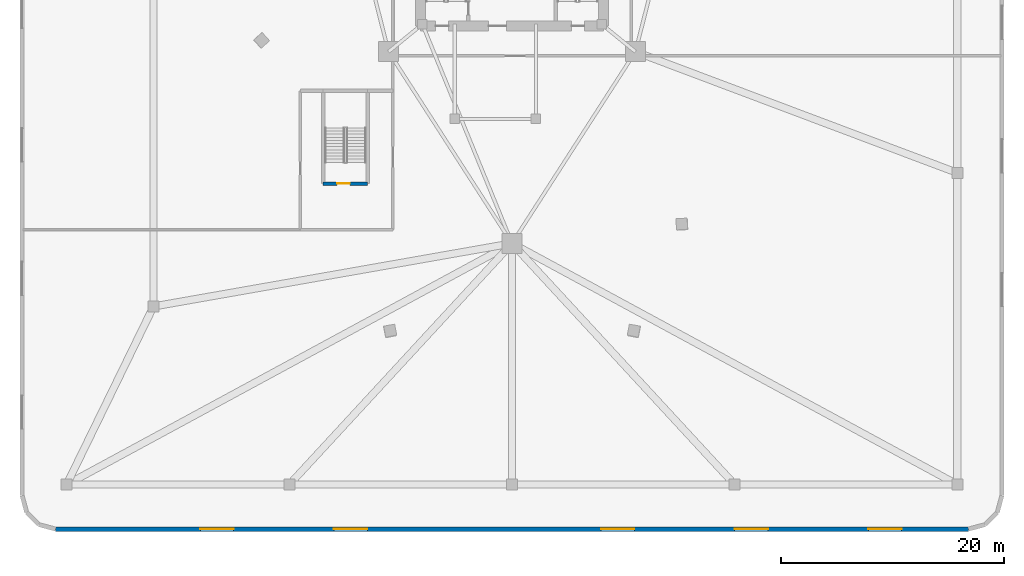
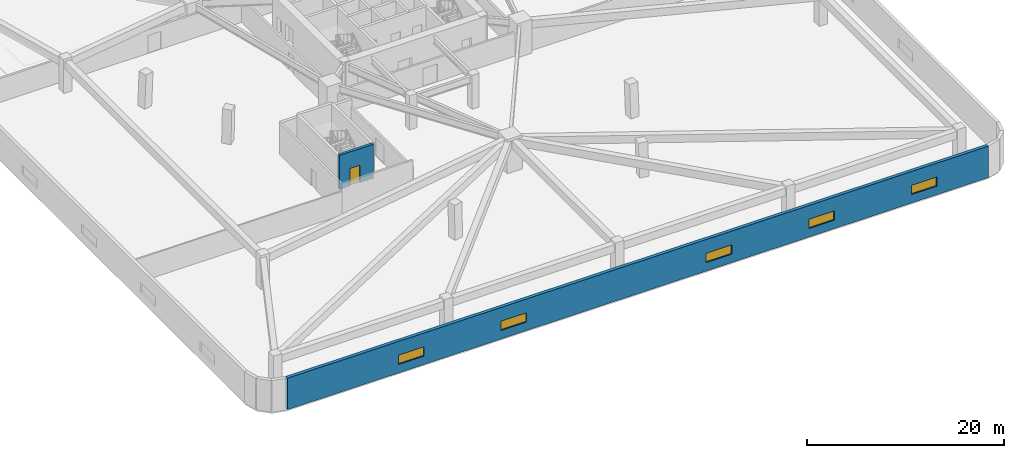
# One storey, part 3 of 10: 5 windows, 2 walls, 1 door, 6 openings.
"""IFC4 building model written with IfcOpenShell, lengths in metres."""

import ifcopenshell
import ifcopenshell.guid

model = None  # the IFC model being written
_history = None  # IfcOwnerHistory: only IFC2X3 demands one
_inside = {}  # id of a spatial element -> (the spatial element, [elements in it])
_under = {}  # id of a project, library or spatial element -> (it, [spatial elements below it])
_declared = {}  # id of a project -> (the project, [libraries it declares])
_typed = {}  # id of a type object -> (the type object, [elements of that type])
_made_of = {}  # id of a material, layer set ... -> (it, [elements and type objects made of it])


def new_model(schema):
    """Start an empty IFC model of exactly this schema.

    Asked for "IFC4X3", IfcOpenShell would pick the latest addendum, in which some entities
    have other attributes; the version numbers below select the first issue.
    IFC2X3 requires an IfcOwnerHistory on every rooted entity: one is made here for all.
    """
    global model, _history
    if schema == "IFC4X3":
        model = ifcopenshell.file(schema_version=(4, 3, 0, 0))
    else:
        model = ifcopenshell.file(schema=schema)
    _inside.clear()
    _under.clear()
    _declared.clear()
    _typed.clear()
    _made_of.clear()
    _history = None
    if model.schema == "IFC2X3":
        org = make("IfcOrganization", Name="unknown")
        user = make(
            "IfcPersonAndOrganization",
            ThePerson=make("IfcPerson", FamilyName="unknown"),
            TheOrganization=org,
        )
        app = make(
            "IfcApplication",
            ApplicationDeveloper=org,
            Version="unknown",
            ApplicationFullName="unknown",
            ApplicationIdentifier="unknown",
        )
        _history = make(
            "IfcOwnerHistory",
            OwningUser=user,
            OwningApplication=app,
            ChangeAction="ADDED",
            CreationDate=0,
        )
    return model


def make(cls, **values):
    """One entity of the class cls with the attributes given. An attribute that is None is left unset."""
    return model.create_entity(
        cls, **{name: value for name, value in values.items() if value is not None}
    )


def rooted(cls, **values):
    """An entity with a GlobalId (a new one), such as an element, a storey or a relation."""
    return make(cls, GlobalId=ifcopenshell.guid.new(), OwnerHistory=_history, **values)


def si_unit(unit_type, name, prefix=None):
    """IfcSIUnit, for example si_unit("LENGTHUNIT", "METRE", prefix="MILLI")."""
    return make("IfcSIUnit", UnitType=unit_type, Prefix=prefix, Name=name)


def assignment(units):
    """IfcUnitAssignment: the units of a project."""
    return None if units is None else make("IfcUnitAssignment", Units=units)


def point(xyz):
    """IfcCartesianPoint."""
    return None if xyz is None else make("IfcCartesianPoint", Coordinates=xyz)


def direction(xyz):
    """IfcDirection."""
    return None if xyz is None else make("IfcDirection", DirectionRatios=xyz)


def frame(location, z_axis=None, x_axis=None):
    """IfcAxis2Placement3D, a coordinate frame: its origin and axes. An axis left out is left unset."""
    return make(
        "IfcAxis2Placement3D",
        Location=point(location),
        Axis=direction(z_axis),
        RefDirection=direction(x_axis),
    )


def frame_2d(location, x_axis=None):
    """IfcAxis2Placement2D, a coordinate frame in the plane: its origin and x axis."""
    return make(
        "IfcAxis2Placement2D", Location=point(location), RefDirection=direction(x_axis)
    )


def origin():
    """The frame at (0, 0, 0) with its axes left unset."""
    return frame((0.0, 0.0, 0.0))


def place(relative_to, where):
    """IfcLocalPlacement: puts the frame where relative to a parent placement (None: the world)."""
    return make(
        "IfcLocalPlacement", PlacementRelTo=relative_to, RelativePlacement=where
    )


def context(
    kind, dimensions, precision=None, world=None, true_north=None, identifier=None
):
    """IfcGeometricRepresentationContext, for example the 3D "Model" context."""
    return make(
        "IfcGeometricRepresentationContext",
        ContextIdentifier=identifier,
        ContextType=kind,
        CoordinateSpaceDimension=dimensions,
        Precision=precision,
        WorldCoordinateSystem=world,
        TrueNorth=true_north,
    )


def subcontext(parent, identifier, kind, view, scale=None):
    """IfcGeometricRepresentationSubContext, for example "Body" below "Model"."""
    return make(
        "IfcGeometricRepresentationSubContext",
        ContextIdentifier=identifier,
        ContextType=kind,
        ParentContext=parent,
        TargetScale=scale,
        TargetView=view,
    )


def project(units=None, contexts=None):
    """IfcProject with its units and contexts."""
    return rooted(
        "IfcProject",
        Name="project",
        RepresentationContexts=contexts,
        UnitsInContext=assignment(units),
    )


def spatial(cls, under=None, at=None, **own):
    """A site, building, storey or space (cls), placed at a placement, below another one or the project."""
    s = rooted(cls, ObjectPlacement=at, **own)
    if under is not None:
        _under.setdefault(under.id(), (under, []))[1].append(s)
    return s


def profile(cls, at=None, kind="AREA", **sizes):
    """A parametric profile (cls). Its sizes go by their IFC names, for example OverallWidth=200.0."""
    return make(cls, ProfileType=kind, Position=at, **sizes)


def rectangle(**sizes):
    """IfcRectangleProfileDef."""
    return profile("IfcRectangleProfileDef", **sizes)


def extrude(swept, where, along, depth):
    """IfcExtrudedAreaSolid: the profile swept, set in the frame where, extruded along a direction by depth."""
    return make(
        "IfcExtrudedAreaSolid",
        SweptArea=swept,
        Position=where,
        ExtrudedDirection=direction(along),
        Depth=depth,
    )


def shape(context_of_items, identifier, shape_type, items):
    """IfcShapeRepresentation: the items that make up one representation, for example the "Body"."""
    return make(
        "IfcShapeRepresentation",
        ContextOfItems=context_of_items,
        RepresentationIdentifier=identifier,
        RepresentationType=shape_type,
        Items=items,
    )


def material(Name=None, Category=None):
    """IfcMaterial."""
    return make("IfcMaterial", Name=Name, Category=Category)


def layer(
    of_material, thickness, ventilated=None, Name=None, Category=None, Priority=None
):
    """IfcMaterialLayer: one layer of a wall or slab, of a material (None: an air gap)."""
    return make(
        "IfcMaterialLayer",
        Material=of_material,
        LayerThickness=thickness,
        IsVentilated=ventilated,
        Name=Name,
        Category=Category,
        Priority=Priority,
    )


def layer_set(layers, Name=None):
    """IfcMaterialLayerSet."""
    return make("IfcMaterialLayerSet", MaterialLayers=layers, LayerSetName=Name)


def made_of(thing, what):
    """Note that an element or type object is made of a material, layer set ...; save() writes the relation."""
    if what is not None:
        _made_of.setdefault(what.id(), (what, []))[1].append(thing)
    return thing


def type_object(cls, material=None, **own):
    """A type object (cls), such as IfcWallType, which elements share."""
    return made_of(rooted(cls, **own), material)


def element(
    cls,
    number,
    at=None,
    inside=None,
    cuts=None,
    type_object=None,
    material=None,
    context=None,
    identifier="Body",
    shape_type=None,
    held_by="IfcProductDefinitionShape",
    body=None,
    shapes=None,
    **own,
):
    """One element of the class cls, such as IfcWall. Its Tag is "e" and its number.

    at: its placement. inside: the storey or other place that contains it. cuts: it is an
    opening in that element (IfcRelVoidsElement). A single representation is given by context,
    identifier, shape_type and body (its items); several are given by shapes. held_by: the class
    of the entity that holds the representations. save() writes the other relations.
    """
    e = rooted(cls, Tag="e%d" % number, ObjectPlacement=at, **own)
    if body is not None:
        shapes = [shape(context, identifier, shape_type, body)]
    if shapes is not None:
        e.Representation = make(held_by, Representations=shapes)
    if inside is not None:
        _inside.setdefault(inside.id(), (inside, []))[1].append(e)
    if cuts is not None:
        rooted(
            "IfcRelVoidsElement", RelatingBuildingElement=cuts, RelatedOpeningElement=e
        )
    if type_object is not None:
        _typed.setdefault(type_object.id(), (type_object, []))[1].append(e)
    return made_of(e, material)


def fill(opening, filler):
    """IfcRelFillsElement: the door or window that sits in an opening."""
    return rooted(
        "IfcRelFillsElement",
        RelatingOpeningElement=opening,
        RelatedBuildingElement=filler,
    )


def aggregate(whole, parts):
    """IfcRelAggregates: a whole, such as a stair, and the parts it consists of."""
    return rooted("IfcRelAggregates", RelatingObject=whole, RelatedObjects=parts)


def save(model, path):
    """Write the relations noted so far, then the file.

    IfcRelAggregates (storeys below a building ...), IfcRelContainedInSpatialStructure (elements
    in a storey), IfcRelDefinesByType, IfcRelAssociatesMaterial and IfcRelDeclares: one each for
    every whole, place, type object, material and project.
    """
    for whole, parts in _under.values():
        aggregate(whole, parts)
    for where, things in _inside.values():
        rooted(
            "IfcRelContainedInSpatialStructure",
            RelatedElements=things,
            RelatingStructure=where,
        )
    for kind, things in _typed.values():
        rooted("IfcRelDefinesByType", RelatedObjects=things, RelatingType=kind)
    for what, things in _made_of.values():
        rooted("IfcRelAssociatesMaterial", RelatedObjects=things, RelatingMaterial=what)
    for by, libraries in _declared.values():
        rooted("IfcRelDeclares", RelatingContext=by, RelatedDefinitions=libraries)
    model.write(path)


model = new_model("IFC4")

# Units and contexts
model_context = context("Model", 3, precision=1e-05, world=origin(), true_north=direction((0.0, 1.0)))
body_context = subcontext(model_context, "Body", "Model", "MODEL_VIEW")
ifc_project = project(units=[si_unit("LENGTHUNIT", "METRE"), si_unit("AREAUNIT", "SQUARE_METRE"), si_unit("VOLUMEUNIT", "CUBIC_METRE"), si_unit("PLANEANGLEUNIT", "RADIAN"), si_unit("MASSUNIT", "GRAM", prefix="KILO")], contexts=[model_context])

# Site, building, storey
site_placement = place(None, origin())
site = spatial("IfcSite", under=ifc_project, at=site_placement, CompositionType="ELEMENT")
building_placement = place(site_placement, origin())
building = spatial("IfcBuilding", under=site, at=building_placement, Name="Talyreon Biosciences Tower", CompositionType="ELEMENT")
storey_placement = place(building_placement, frame((0.0, 0.0, 14.39990234375)))
storey = spatial("IfcBuildingStorey", under=building, at=storey_placement, Name="L03", CompositionType="ELEMENT", Elevation=14.39990234375)

# Wall, opening, door
ifc_material_1 = material(Name="Concrete C50/60", Category="concrete")
ifc_layer_1 = layer(ifc_material_1, 0.320068359375)
ifc_layer_set_1 = layer_set([ifc_layer_1], Name="Concrete C50/60")
wall_type_1 = type_object("IfcWallType", Name="CoreShearWall_320", PredefinedType="SHEAR", material=ifc_layer_set_1)
wall_1_placement = place(storey_placement, frame((49.0400390625, 47.0400390625, 0.0), z_axis=(0.0, 0.0, 1.0), x_axis=(1.0, 0.0, 0.0)))
wall_1 = element("IfcWall", 1, at=wall_1_placement, inside=storey, type_object=wall_type_1, Name="L03 Stair ST-3 Structural Wall S", PredefinedType="SHEAR", context=body_context, shape_type="SweptSolid", body=[
    extrude(rectangle(XDim=4.0, YDim=0.320068359375, at=frame_2d((2.0, 0.0))), origin(), (0.0, 0.0, 1.0), 4.2001953125),
])
opening_1_placement = place(wall_1_placement, frame((1.25, 0.0, 0.0)))
opening_1 = element("IfcOpeningElement", 2, at=opening_1_placement, cuts=wall_1, Name="Opening DR-L03-ST3", PredefinedType="OPENING", context=body_context, shape_type="SweptSolid", body=[
    extrude(rectangle(XDim=1.14990234375, YDim=2.14990234375, at=frame_2d((0.574951171875, 1.074951171875))), frame((0.0, 0.169921875, 0.0), z_axis=(0.0, -1.0, 0.0), x_axis=(1.0, 0.0, 0.0)), (0.0, 0.0, 1.0), 0.340087890625),
])
ifc_material_2 = material(Name="Painted steel fire door", Category="steel")
door_type = type_object("IfcDoorType", Name="StairShaftFireDoor_1150x2150", OperationType="NOTDEFINED", PredefinedType="DOOR", material=ifc_material_2)
door_placement = place(opening_1_placement, origin())
door = element("IfcDoor", 3, at=door_placement, inside=storey, type_object=door_type, Name="L03 Core Door DR-L03-ST3", OperationType="SINGLE_SWING_LEFT", OverallHeight=2.14990234375, OverallWidth=1.14990234375, PredefinedType="DOOR", context=body_context, shape_type="SweptSolid", body=[
    extrude(rectangle(XDim=1.14990234375, YDim=2.14990234375, at=frame_2d((0.574951171875, 1.074951171875))), frame((0.0, 0.02490234375, 0.0), z_axis=(0.0, -1.0, 0.0), x_axis=(1.0, 0.0, 0.0)), (0.0, 0.0, 1.0), 0.050048828125),
])
fill(opening_1, door)

# Wall, openings, windows
ifc_material_3 = material(Name="Precast concrete C45/55", Category="concrete")
ifc_layer_2 = layer(ifc_material_3, 0.3798828125)
ifc_layer_set_2 = layer_set([ifc_layer_2], Name="Precast concrete C45/55")
wall_type_2 = type_object("IfcWallType", Name="PrecastConcretePodiumWall_380", PredefinedType="STANDARD", material=ifc_layer_set_2)
wall_2_placement = place(storey_placement, frame((107.0, 16.0, 0.0), z_axis=(0.0, 0.0, 1.0), x_axis=(-1.0, 0.0, 0.0)))
wall_2 = element("IfcWall", 4, at=wall_2_placement, inside=storey, type_object=wall_type_2, Name="L03 Podium Concrete Frame Wall 01", PredefinedType="STANDARD", context=body_context, shape_type="SweptSolid", body=[
    extrude(rectangle(XDim=82.0, YDim=0.3798828125, at=frame_2d((41.0, 0.0))), origin(), (0.0, 0.0, 1.0), 3.900146484375),
])
opening_2_placement = place(wall_2_placement, frame((6.0, 0.0, 1.050048828125)))
opening_2 = element("IfcOpeningElement", 5, at=opening_2_placement, cuts=wall_2, Name="Opening W03", PredefinedType="OPENING", context=body_context, shape_type="SweptSolid", body=[
    extrude(rectangle(XDim=3.0, YDim=1.14990234375, at=frame_2d((1.5, 0.574951171875))), frame((0.0, 0.199951171875, 0.0), z_axis=(0.0, -1.0, 0.0), x_axis=(1.0, 0.0, 0.0)), (0.0, 0.0, 1.0), 0.39990234375),
])
opening_3_placement = place(wall_2_placement, frame((18.0, 0.0, 1.050048828125)))
opening_3 = element("IfcOpeningElement", 6, at=opening_3_placement, cuts=wall_2, Name="Opening W03", PredefinedType="OPENING", context=body_context, shape_type="SweptSolid", body=[
    extrude(rectangle(XDim=3.0, YDim=1.14990234375, at=frame_2d((1.5, 0.574951171875))), frame((0.0, 0.199951171875, 0.0), z_axis=(0.0, -1.0, 0.0), x_axis=(1.0, 0.0, 0.0)), (0.0, 0.0, 1.0), 0.39990234375),
])
opening_4_placement = place(wall_2_placement, frame((30.0, 0.0, 1.050048828125)))
opening_4 = element("IfcOpeningElement", 7, at=opening_4_placement, cuts=wall_2, Name="Opening W03", PredefinedType="OPENING", context=body_context, shape_type="SweptSolid", body=[
    extrude(rectangle(XDim=3.0, YDim=1.14990234375, at=frame_2d((1.5, 0.574951171875))), frame((0.0, 0.199951171875, 0.0), z_axis=(0.0, -1.0, 0.0), x_axis=(1.0, 0.0, 0.0)), (0.0, 0.0, 1.0), 0.39990234375),
])
opening_5_placement = place(wall_2_placement, frame((54.0, 0.0, 1.050048828125)))
opening_5 = element("IfcOpeningElement", 8, at=opening_5_placement, cuts=wall_2, Name="Opening W03", PredefinedType="OPENING", context=body_context, shape_type="SweptSolid", body=[
    extrude(rectangle(XDim=3.0, YDim=1.14990234375, at=frame_2d((1.5, 0.574951171875))), frame((0.0, 0.199951171875, 0.0), z_axis=(0.0, -1.0, 0.0), x_axis=(1.0, 0.0, 0.0)), (0.0, 0.0, 1.0), 0.39990234375),
])
opening_6_placement = place(wall_2_placement, frame((66.0, 0.0, 1.050048828125)))
opening_6 = element("IfcOpeningElement", 9, at=opening_6_placement, cuts=wall_2, Name="Opening W03", PredefinedType="OPENING", context=body_context, shape_type="SweptSolid", body=[
    extrude(rectangle(XDim=3.0, YDim=1.14990234375, at=frame_2d((1.5, 0.574951171875))), frame((0.0, 0.199951171875, 0.0), z_axis=(0.0, -1.0, 0.0), x_axis=(1.0, 0.0, 0.0)), (0.0, 0.0, 1.0), 0.39990234375),
])
ifc_material_4 = material(Name="Thermally broken triple low-E aluminium window", Category="aluminium")
window_type = type_object("IfcWindowType", Name="PodiumClerestoryWindow_3000x1150", PartitioningType="TRIPLE_PANEL_VERTICAL", PredefinedType="WINDOW", material=ifc_material_4)
window_1_placement = place(opening_2_placement, origin())
window_1 = element("IfcWindow", 10, at=window_1_placement, inside=storey, type_object=window_type, Name="L03 Podium Facade Window 01.01", OverallHeight=1.14990234375, OverallWidth=3.0, PartitioningType="SINGLE_PANEL", PredefinedType="WINDOW", context=body_context, shape_type="SweptSolid", body=[
    extrude(rectangle(XDim=3.0, YDim=1.14990234375, at=frame_2d((1.5, 0.574951171875))), frame((0.0, 0.030029296875, 0.0), z_axis=(0.0, -1.0, 0.0), x_axis=(1.0, 0.0, 0.0)), (0.0, 0.0, 1.0), 0.06005859375),
])
fill(opening_2, window_1)
window_2_placement = place(opening_3_placement, origin())
window_2 = element("IfcWindow", 11, at=window_2_placement, inside=storey, type_object=window_type, Name="L03 Podium Facade Window 01.02", OverallHeight=1.14990234375, OverallWidth=3.0, PartitioningType="SINGLE_PANEL", PredefinedType="WINDOW", context=body_context, shape_type="SweptSolid", body=[
    extrude(rectangle(XDim=3.0, YDim=1.14990234375, at=frame_2d((1.5, 0.574951171875))), frame((0.0, 0.030029296875, 0.0), z_axis=(0.0, -1.0, 0.0), x_axis=(1.0, 0.0, 0.0)), (0.0, 0.0, 1.0), 0.06005859375),
])
fill(opening_3, window_2)
window_3_placement = place(opening_4_placement, origin())
window_3 = element("IfcWindow", 12, at=window_3_placement, inside=storey, type_object=window_type, Name="L03 Podium Facade Window 01.03", OverallHeight=1.14990234375, OverallWidth=3.0, PartitioningType="SINGLE_PANEL", PredefinedType="WINDOW", context=body_context, shape_type="SweptSolid", body=[
    extrude(rectangle(XDim=3.0, YDim=1.14990234375, at=frame_2d((1.5, 0.574951171875))), frame((0.0, 0.030029296875, 0.0), z_axis=(0.0, -1.0, 0.0), x_axis=(1.0, 0.0, 0.0)), (0.0, 0.0, 1.0), 0.06005859375),
])
fill(opening_4, window_3)
window_4_placement = place(opening_5_placement, origin())
window_4 = element("IfcWindow", 13, at=window_4_placement, inside=storey, type_object=window_type, Name="L03 Podium Facade Window 01.05", OverallHeight=1.14990234375, OverallWidth=3.0, PartitioningType="SINGLE_PANEL", PredefinedType="WINDOW", context=body_context, shape_type="SweptSolid", body=[
    extrude(rectangle(XDim=3.0, YDim=1.14990234375, at=frame_2d((1.5, 0.574951171875))), frame((0.0, 0.030029296875, 0.0), z_axis=(0.0, -1.0, 0.0), x_axis=(1.0, 0.0, 0.0)), (0.0, 0.0, 1.0), 0.06005859375),
])
fill(opening_5, window_4)
window_5_placement = place(opening_6_placement, origin())
window_5 = element("IfcWindow", 14, at=window_5_placement, inside=storey, type_object=window_type, Name="L03 Podium Facade Window 01.06", OverallHeight=1.14990234375, OverallWidth=3.0, PartitioningType="SINGLE_PANEL", PredefinedType="WINDOW", context=body_context, shape_type="SweptSolid", body=[
    extrude(rectangle(XDim=3.0, YDim=1.14990234375, at=frame_2d((1.5, 0.574951171875))), frame((0.0, 0.030029296875, 0.0), z_axis=(0.0, -1.0, 0.0), x_axis=(1.0, 0.0, 0.0)), (0.0, 0.0, 1.0), 0.06005859375),
])
fill(opening_6, window_5)

save(model, "model.ifc")
